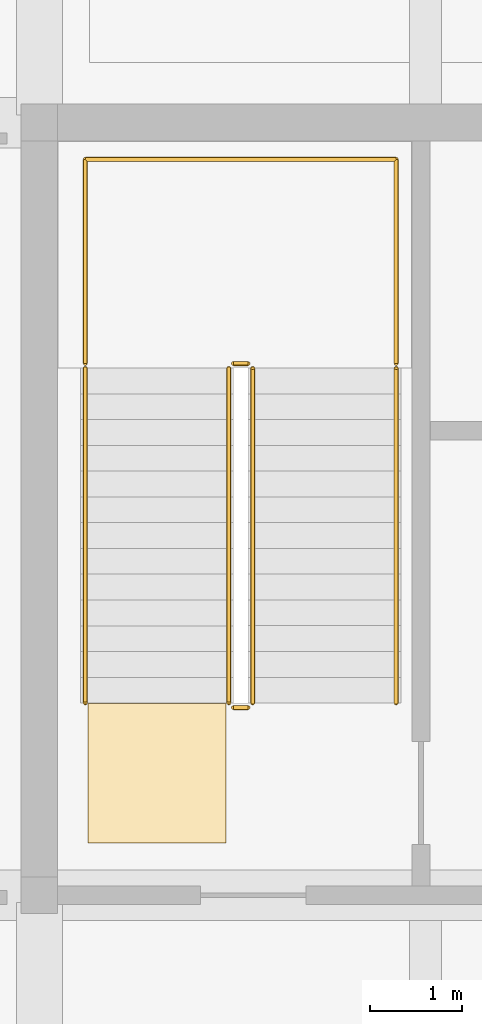
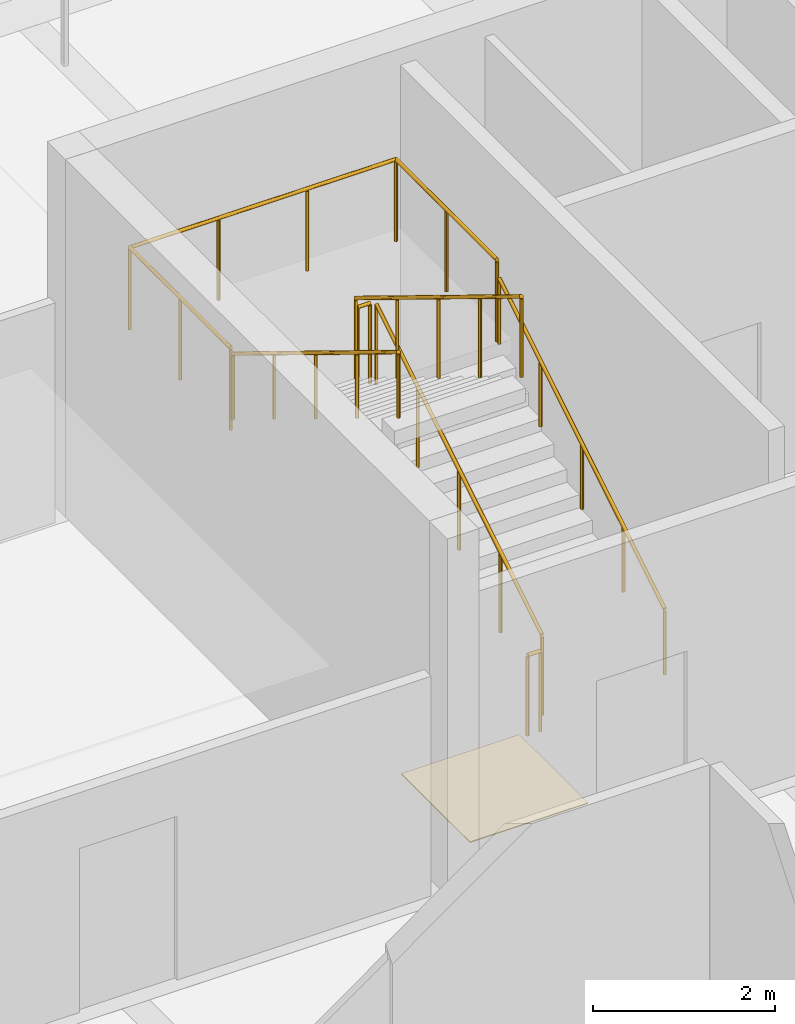
# One storey, part 95 of 128: 7 railings, 1 covering.
"""IFC4 building model written with IfcOpenShell, lengths in metres."""

from ifc_helpers import new_model, si_unit, direction, frame, origin, origin_2d, place, context, subcontext, project, spatial, polyline, circle, outline, extrude, material, layer, layer_set, type_object, element, save


model = new_model("IFC4")

# Units and contexts
model_context = context("Model", 3, precision=1e-05, world=origin(), true_north=direction((0.0, 1.0)))
body_context = subcontext(model_context, "Body", "Model", "MODEL_VIEW")
ifc_project = project(units=[si_unit("LENGTHUNIT", "METRE"), si_unit("AREAUNIT", "SQUARE_METRE"), si_unit("VOLUMEUNIT", "CUBIC_METRE"), si_unit("PLANEANGLEUNIT", "RADIAN"), si_unit("MASSUNIT", "GRAM", prefix="KILO")], contexts=[model_context])

# Site, building, storey
site_placement = place(None, origin())
site = spatial("IfcSite", under=ifc_project, at=site_placement, CompositionType="ELEMENT")
building_placement = place(site_placement, origin())
building = spatial("IfcBuilding", under=site, at=building_placement, Name="Telukmera Botanical Conservatory", CompositionType="ELEMENT")
storey_placement = place(building_placement, frame((0.0, 0.0, 5.39990234375)))
storey = spatial("IfcBuildingStorey", under=building, at=storey_placement, Name="L01", CompositionType="ELEMENT", Elevation=5.39990234375)

# Covering
ifc_material_1 = material(Name="Honed granite non-slip flooring", Category="masonry")
ifc_layer = layer(ifc_material_1, 0.011962890625)
ifc_layer_set = layer_set([ifc_layer], Name="Honed granite non-slip flooring")
covering_type = type_object("IfcCoveringType", Name="COV-FLR-12", PredefinedType="FLOORING", material=ifc_layer_set)
covering_placement = place(storey_placement, origin())
element("IfcCovering", 1, at=covering_placement, inside=storey, type_object=covering_type, Name="L01 ST1 Non-Slip Stair Landing Finish", PredefinedType="FLOORING", context=body_context, shape_type="SweptSolid", body=[
    extrude(outline(polyline([(60.830078125, 26.570068359375), (60.830078125, 28.0849609375), (59.330078125, 28.0849609375), (59.330078125, 26.570068359375), (60.830078125, 26.570068359375)])), origin(), (0.0, 0.0, 1.0), 0.01220703125),
])

# Railings
ifc_material_2 = material(Name="Steel S355", Category="steel")
railing_type_1 = type_object("IfcRailingType", Name="RL-GUARD-1100", PredefinedType="GUARDRAIL", material=ifc_material_2)
railing_1_placement = place(storey_placement, frame((61.1201171875, 28.090087890625, 0.171630859375)))
element("IfcRailing", 2, at=railing_1_placement, inside=storey, type_object=railing_type_1, Name="L01 ST1 stair guard 1", PredefinedType="GUARDRAIL", context=body_context, shape_type="SweptSolid", body=[
    extrude(circle(Radius=0.02392578125, at=origin_2d()), frame((0.0, 0.0, 1.076171875), z_axis=(0.0, 0.852850264322, 0.5221555579), x_axis=(-1.0, 0.0, 0.0)), (0.0, 0.0, 1.0), 4.267822265625),
    extrude(circle(Radius=0.02099609375, at=origin_2d()), origin(), (0.0, 0.0, 1.0), 1.052001953125),
    extrude(circle(Radius=0.02099609375, at=origin_2d()), frame((0.0, 0.909912109375, 0.55712890625)), (0.0, 0.0, 1.0), 1.052001953125),
    extrude(circle(Radius=0.02099609375, at=origin_2d()), frame((0.0, 1.81982421875, 1.1142578125)), (0.0, 0.0, 1.0), 1.052001953125),
    extrude(circle(Radius=0.02099609375, at=origin_2d()), frame((0.0, 2.72998046875, 1.67138671875)), (0.0, 0.0, 1.0), 1.052001953125),
    extrude(circle(Radius=0.02099609375, at=origin_2d()), frame((0.0, 3.639892578125, 2.228515625)), (0.0, 0.0, 1.0), 1.052001953125),
])
railing_2_placement = place(storey_placement, frame((61.070068359375, 31.780029296875, 2.400146484375)))
element("IfcRailing", 3, at=railing_2_placement, inside=storey, type_object=railing_type_1, Name="L01 ST1 stair guard 2", PredefinedType="GUARDRAIL", context=body_context, shape_type="SweptSolid", body=[
    extrude(circle(Radius=0.02392578125, at=origin_2d()), frame((0.0, 0.0, 1.076171875), z_axis=(-1.0, 0.0, 0.0), x_axis=(0.0, -1.0, 0.0)), (0.0, 0.0, 1.0), 0.16015625),
    extrude(circle(Radius=0.02099609375, at=origin_2d()), origin(), (0.0, 0.0, 1.0), 1.052001953125),
    extrude(circle(Radius=0.02099609375, at=origin_2d()), frame((-0.16015625, 0.0, 0.0)), (0.0, 0.0, 1.0), 1.052001953125),
])
railing_3_placement = place(storey_placement, frame((60.860107421875, 31.72998046875, 2.571533203125)))
element("IfcRailing", 4, at=railing_3_placement, inside=storey, type_object=railing_type_1, Name="L01 ST1 stair guard 3", PredefinedType="GUARDRAIL", context=body_context, shape_type="SweptSolid", body=[
    extrude(circle(Radius=0.02392578125, at=origin_2d()), frame((0.0, 0.0, 1.076171875), z_axis=(0.0, -0.852850264322, 0.5221555579), x_axis=(1.0, 0.0, 0.0)), (0.0, 0.0, 1.0), 4.267822265625),
    extrude(circle(Radius=0.02099609375, at=origin_2d()), origin(), (0.0, 0.0, 1.0), 1.052001953125),
    extrude(circle(Radius=0.02099609375, at=origin_2d()), frame((0.0, -0.909912109375, 0.55712890625)), (0.0, 0.0, 1.0), 1.052001953125),
    extrude(circle(Radius=0.02099609375, at=origin_2d()), frame((0.0, -1.81982421875, 1.1142578125)), (0.0, 0.0, 1.0), 1.052001953125),
    extrude(circle(Radius=0.02099609375, at=origin_2d()), frame((0.0, -2.72998046875, 1.67138671875)), (0.0, 0.0, 1.0), 1.052001953125),
    extrude(circle(Radius=0.02099609375, at=origin_2d()), frame((0.0, -3.639892578125, 2.228515625)), (0.0, 0.0, 1.0), 1.052001953125),
])
railing_4_placement = place(storey_placement, frame((61.070068359375, 28.0400390625, 0.0)))
element("IfcRailing", 5, at=railing_4_placement, inside=storey, type_object=railing_type_1, Name="L01 ST1 stair guard 4", PredefinedType="GUARDRAIL", context=body_context, shape_type="SweptSolid", body=[
    extrude(circle(Radius=0.02392578125, at=origin_2d()), frame((0.0, 0.0, 1.076171875), z_axis=(-1.0, 0.0, 0.0), x_axis=(0.0, -1.0, 0.0)), (0.0, 0.0, 1.0), 0.16015625),
    extrude(circle(Radius=0.02099609375, at=origin_2d()), origin(), (0.0, 0.0, 1.0), 1.052001953125),
    extrude(circle(Radius=0.02099609375, at=origin_2d()), frame((-0.16015625, 0.0, 0.0)), (0.0, 0.0, 1.0), 1.052001953125),
])
railing_5_placement = place(storey_placement, frame((62.679931640625, 31.780029296875, 2.400146484375)))
element("IfcRailing", 6, at=railing_5_placement, inside=storey, type_object=railing_type_1, Name="L01 ST1 half-landing perimeter guard 1", PredefinedType="GUARDRAIL", context=body_context, shape_type="SweptSolid", body=[
    extrude(circle(Radius=0.02392578125, at=origin_2d()), frame((0.0, 0.0, 1.09619140625), z_axis=(0.0, 1.0, 0.0), x_axis=(-1.0, 0.0, 0.0)), (0.0, 0.0, 1.0), 2.219970703125),
    extrude(circle(Radius=0.02392578125, at=origin_2d()), frame((0.0, 2.219970703125, 1.09619140625), z_axis=(-1.0, 0.0, 0.0), x_axis=(0.0, -1.0, 0.0)), (0.0, 0.0, 1.0), 3.3798828125),
    extrude(circle(Radius=0.02392578125, at=origin_2d()), frame((-3.3798828125, 2.219970703125, 1.09619140625), z_axis=(0.0, -1.0, 0.0), x_axis=(1.0, 0.0, 0.0)), (0.0, 0.0, 1.0), 2.219970703125),
    extrude(circle(Radius=0.02099609375, at=origin_2d()), origin(), (0.0, 0.0, 1.0), 1.072021484375),
    extrude(circle(Radius=0.02099609375, at=origin_2d()), frame((0.0, 1.10986328125, 0.0)), (0.0, 0.0, 1.0), 1.072021484375),
    extrude(circle(Radius=0.02099609375, at=origin_2d()), frame((0.0, 2.219970703125, 0.0)), (0.0, 0.0, 1.0), 1.072021484375),
    extrude(circle(Radius=0.02099609375, at=origin_2d()), frame((-1.126708984375, 2.219970703125, 0.0)), (0.0, 0.0, 1.0), 1.072021484375),
    extrude(circle(Radius=0.02099609375, at=origin_2d()), frame((-2.253173828125, 2.219970703125, 0.0)), (0.0, 0.0, 1.0), 1.072021484375),
    extrude(circle(Radius=0.02099609375, at=origin_2d()), frame((-3.3798828125, 2.219970703125, 0.0)), (0.0, 0.0, 1.0), 1.072021484375),
    extrude(circle(Radius=0.02099609375, at=origin_2d()), frame((-3.3798828125, 1.10986328125, 0.0)), (0.0, 0.0, 1.0), 1.072021484375),
    extrude(circle(Radius=0.02099609375, at=origin_2d()), frame((-3.3798828125, 0.0, 0.0)), (0.0, 0.0, 1.0), 1.072021484375),
])
ifc_material_3 = material(Name="Stainless steel 316", Category="steel")
railing_type_2 = type_object("IfcRailingType", Name="RL-HAND-900", PredefinedType="HANDRAIL", material=ifc_material_3)
railing_6_placement = place(storey_placement, frame((62.679931640625, 28.090087890625, 0.171630859375)))
element("IfcRailing", 7, at=railing_6_placement, inside=storey, type_object=railing_type_2, Name="L01 ST1 stair handrail 1", PredefinedType="HANDRAIL", context=body_context, shape_type="SweptSolid", body=[
    extrude(circle(Radius=0.02392578125, at=origin_2d()), frame((0.0, 0.0, 0.8759765625), z_axis=(0.0, 0.852850264322, 0.5221555579), x_axis=(-1.0, 0.0, 0.0)), (0.0, 0.0, 1.0), 4.267822265625),
    extrude(circle(Radius=0.02099609375, at=origin_2d()), origin(), (0.0, 0.0, 1.0), 0.851806640625),
    extrude(circle(Radius=0.02099609375, at=origin_2d()), frame((0.0, 0.909912109375, 0.55712890625)), (0.0, 0.0, 1.0), 0.851806640625),
    extrude(circle(Radius=0.02099609375, at=origin_2d()), frame((0.0, 1.81982421875, 1.1142578125)), (0.0, 0.0, 1.0), 0.851806640625),
    extrude(circle(Radius=0.02099609375, at=origin_2d()), frame((0.0, 2.72998046875, 1.67138671875)), (0.0, 0.0, 1.0), 0.851806640625),
    extrude(circle(Radius=0.02099609375, at=origin_2d()), frame((0.0, 3.639892578125, 2.228515625)), (0.0, 0.0, 1.0), 0.851806640625),
])
railing_7_placement = place(storey_placement, frame((59.300048828125, 31.72998046875, 2.571533203125)))
element("IfcRailing", 8, at=railing_7_placement, inside=storey, type_object=railing_type_2, Name="L01 ST1 stair handrail 2", PredefinedType="HANDRAIL", context=body_context, shape_type="SweptSolid", body=[
    extrude(circle(Radius=0.02392578125, at=origin_2d()), frame((0.0, 0.0, 0.8759765625), z_axis=(0.0, -0.852850264322, 0.5221555579), x_axis=(1.0, 0.0, 0.0)), (0.0, 0.0, 1.0), 4.267822265625),
    extrude(circle(Radius=0.02099609375, at=origin_2d()), origin(), (0.0, 0.0, 1.0), 0.851806640625),
    extrude(circle(Radius=0.02099609375, at=origin_2d()), frame((0.0, -0.909912109375, 0.55712890625)), (0.0, 0.0, 1.0), 0.851806640625),
    extrude(circle(Radius=0.02099609375, at=origin_2d()), frame((0.0, -1.81982421875, 1.1142578125)), (0.0, 0.0, 1.0), 0.851806640625),
    extrude(circle(Radius=0.02099609375, at=origin_2d()), frame((0.0, -2.72998046875, 1.67138671875)), (0.0, 0.0, 1.0), 0.851806640625),
    extrude(circle(Radius=0.02099609375, at=origin_2d()), frame((0.0, -3.639892578125, 2.228515625)), (0.0, 0.0, 1.0), 0.851806640625),
])

save(model, "model.ifc")
